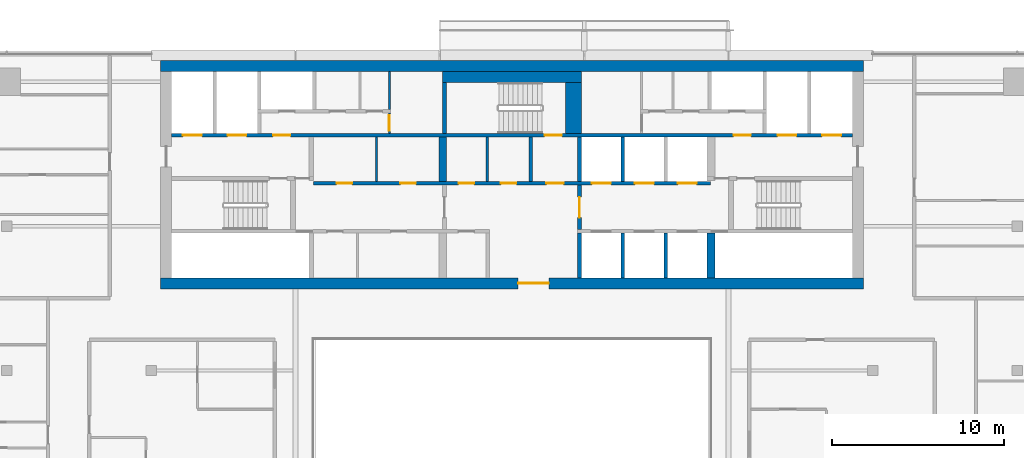
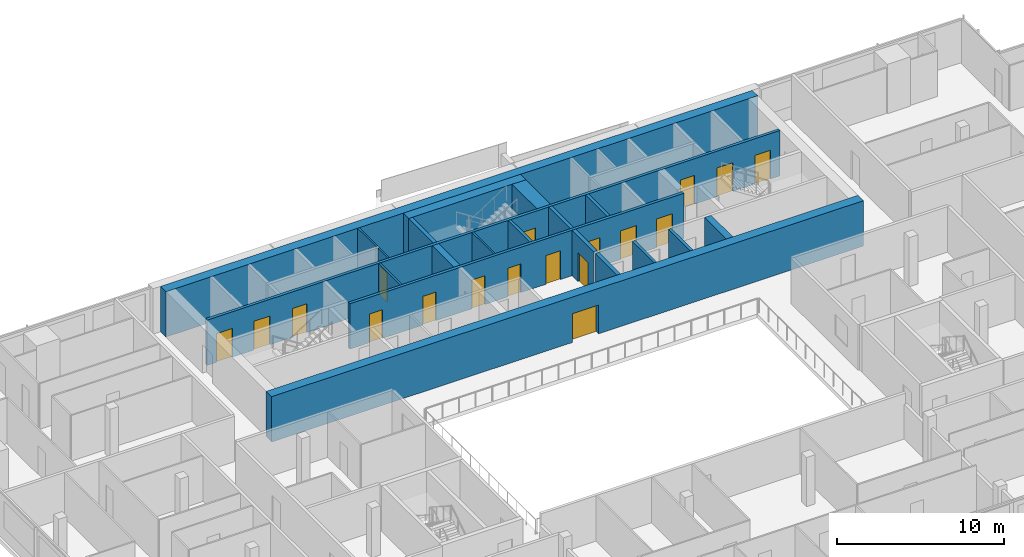
# One storey, part 21 of 26: 20 walls, 18 doors, 18 openings.
"""IFC4 building model written with IfcOpenShell, lengths in metres."""

from ifc_helpers import new_model, si_unit, direction, frame, frame_2d, origin, place, context, subcontext, project, spatial, rectangle, extrude, material, layer, layer_set, type_object, element, fill, save


model = new_model("IFC4")

# Units and contexts
model_context = context("Model", 3, precision=1e-05, world=origin(), true_north=direction((0.0, 1.0)))
body_context = subcontext(model_context, "Body", "Model", "MODEL_VIEW")
ifc_project = project(units=[si_unit("LENGTHUNIT", "METRE"), si_unit("AREAUNIT", "SQUARE_METRE"), si_unit("VOLUMEUNIT", "CUBIC_METRE"), si_unit("PLANEANGLEUNIT", "RADIAN"), si_unit("MASSUNIT", "GRAM", prefix="KILO")], contexts=[model_context])

# Site, building, storey
site_placement = place(None, origin())
site = spatial("IfcSite", under=ifc_project, at=site_placement, CompositionType="ELEMENT")
building_placement = place(site_placement, origin())
building = spatial("IfcBuilding", under=site, at=building_placement, Name="Saffron Gate Tower", CompositionType="ELEMENT")
storey_placement = place(building_placement, frame((0.0, 0.0, 230.699951171875)))
storey = spatial("IfcBuildingStorey", under=building, at=storey_placement, Name="L56", CompositionType="ELEMENT", Elevation=230.699951171875)

# Walls
ifc_material_1 = material(Name="Gypsum board partition on steel studs", Category="steel")
ifc_layer_1 = layer(ifc_material_1, 0.199951171875)
ifc_layer_set_1 = layer_set([ifc_layer_1], Name="CW10 Core partition 200")
wall_type_1 = type_object("IfcWallType", Name="CW10 Core partition 200", PredefinedType="PARTITIONING", material=ifc_layer_set_1)
wall_1_placement = place(storey_placement, frame((88.699951171875, 68.0, 0.0), z_axis=(0.0, 0.0, 1.0), x_axis=(0.0, 1.0, 0.0)))
element("IfcWall", 1, at=wall_1_placement, inside=storey, type_object=wall_type_1, Name="Wall CW10-L56-23", PredefinedType="PARTITIONING", context=body_context, shape_type="SweptSolid", body=[
    extrude(rectangle(XDim=2.60009765625, YDim=0.199951171875, at=frame_2d((1.300048828125, 0.0))), origin(), (0.0, 0.0, 1.0), 3.320068359375),
])
ifc_material_2 = material(Name="Concrete C60", Category="concrete")
ifc_layer_2 = layer(ifc_material_2, 0.25)
ifc_layer_set_2 = layer_set([ifc_layer_2], Name="CW14 RC core wall 250 C60")
wall_type_2 = type_object("IfcWallType", Name="CW14 RC core wall 250 C60", PredefinedType="SOLIDWALL", material=ifc_layer_set_2)
wall_2_placement = place(storey_placement, frame((91.52490234375, 62.39990234375, 0.0), z_axis=(0.0, 0.0, 1.0), x_axis=(0.0, 1.0, 0.0)))
element("IfcWall", 2, at=wall_2_placement, inside=storey, type_object=wall_type_2, Name="Wall CW14-L56-9", PredefinedType="SOLIDWALL", context=body_context, shape_type="SweptSolid", body=[
    extrude(rectangle(XDim=2.60009765625, YDim=0.25, at=frame_2d((1.300048828125, 0.0))), origin(), (0.0, 0.0, 1.0), 3.320068359375),
])

# Wall, opening, door
wall_3_placement = place(storey_placement, frame((91.52490234375, 65.199951171875, 0.0), z_axis=(0.0, 0.0, 1.0), x_axis=(0.0, 1.0, 0.0)))
wall_3 = element("IfcWall", 3, at=wall_3_placement, inside=storey, type_object=wall_type_2, Name="Wall CW14-L56-17", PredefinedType="SOLIDWALL", context=body_context, shape_type="SweptSolid", body=[
    extrude(rectangle(XDim=2.60009765625, YDim=0.25, at=frame_2d((1.300048828125, 0.0))), origin(), (0.0, 0.0, 1.0), 3.320068359375),
])
opening_1_placement = place(wall_3_placement, frame((0.699951171875, 0.0, 0.0)))
opening_1 = element("IfcOpeningElement", 4, at=opening_1_placement, cuts=wall_3, Name="Opening CR-01", PredefinedType="OPENING", context=body_context, shape_type="SweptSolid", body=[
    extrude(rectangle(XDim=1.199951171875, YDim=2.10009765625, at=frame_2d((0.60009765625, 1.050048828125))), frame((0.0, 0.135009765625, 0.0), z_axis=(0.0, -1.0, 0.0), x_axis=(1.0, 0.0, 0.0)), (0.0, 0.0, 1.0), 0.27001953125),
])
ifc_material_3 = material(Name="Steel fire door set", Category="steel")
door_type_1 = type_object("IfcDoorType", Name="CD3 Lobby door 1200x2100 EI 120", OperationType="NOTDEFINED", PredefinedType="DOOR", material=ifc_material_3)
door_1_placement = place(opening_1_placement, origin())
door_1 = element("IfcDoor", 5, at=door_1_placement, inside=storey, type_object=door_type_1, Name="DOOR CR-01", OperationType="SINGLE_SWING_RIGHT", OverallHeight=2.10009765625, OverallWidth=1.199951171875, PredefinedType="DOOR", context=body_context, shape_type="SweptSolid", body=[
    extrude(rectangle(XDim=1.199951171875, YDim=2.10009765625, at=frame_2d((0.60009765625, 1.050048828125))), frame((0.0, 0.02490234375, 0.0), z_axis=(0.0, -1.0, 0.0), x_axis=(1.0, 0.0, 0.0)), (0.0, 0.0, 1.0), 0.050048828125),
])
fill(opening_1, door_1)

# Walls
wall_4_placement = place(storey_placement, frame((91.52490234375, 68.0, 0.0), z_axis=(0.0, 0.0, 1.0), x_axis=(0.0, 1.0, 0.0)))
element("IfcWall", 6, at=wall_4_placement, inside=storey, type_object=wall_type_2, Name="Wall CW14-L56-24", PredefinedType="SOLIDWALL", context=body_context, shape_type="SweptSolid", body=[
    extrude(rectangle(XDim=2.60009765625, YDim=0.25, at=frame_2d((1.300048828125, 0.0))), origin(), (0.0, 0.0, 1.0), 3.320068359375),
])
wall_5_placement = place(storey_placement, frame((83.675048828125, 70.800048828125, 0.0), z_axis=(0.0, 0.0, 1.0), x_axis=(0.0, 1.0, 0.0)))
element("IfcWall", 7, at=wall_5_placement, inside=storey, type_object=wall_type_2, Name="Wall CW14-L56-36", PredefinedType="SOLIDWALL", context=body_context, shape_type="SweptSolid", body=[
    extrude(rectangle(XDim=2.949951171875, YDim=0.25, at=frame_2d((1.47509765625, 0.0))), origin(), (0.0, 0.0, 1.0), 3.320068359375),
])
ifc_layer_3 = layer(ifc_material_2, 0.199951171875)
ifc_layer_set_3 = layer_set([ifc_layer_3], Name="CW15 RC core wall 200 C60")
wall_type_3 = type_object("IfcWallType", Name="CW15 RC core wall 200 C60", PredefinedType="SOLIDWALL", material=ifc_layer_set_3)
for number, where, z_axis, x_axis, name in (
    (8, (94.050048828125, 62.39990234375, 0.0), (0.0, 0.0, 1.0), (0.0, 1.0, 0.0), "Wall CW15-L56-10"),
    (9, (96.550048828125, 62.39990234375, 0.0), (0.0, 0.0, 1.0), (0.0, 1.0, 0.0), "Wall CW15-L56-11"),
):
    element("IfcWall", number, at=place(storey_placement, frame(where, z_axis=z_axis, x_axis=x_axis)), inside=storey, type_object=wall_type_3, Name=name, PredefinedType="SOLIDWALL", context=body_context, shape_type="SweptSolid", body=[
        extrude(rectangle(XDim=2.60009765625, YDim=0.199951171875, at=frame_2d((1.300048828125, 0.0))), origin(), (0.0, 0.0, 1.0), 3.320068359375),
    ])

# Wall, openings, doors
wall_6_placement = place(storey_placement, frame((76.050048828125, 67.89990234375, 0.0), z_axis=(0.0, 0.0, 1.0), x_axis=(1.0, 0.0, 0.0)))
wall_6 = element("IfcWall", 10, at=wall_6_placement, inside=storey, type_object=wall_type_3, Name="Wall CW15-L56-19", PredefinedType="SOLIDWALL", context=body_context, shape_type="SweptSolid", body=[
    extrude(rectangle(XDim=23.099853515625, YDim=0.199951171875, at=frame_2d((11.5498046875, 0.0))), origin(), (0.0, 0.0, 1.0), 3.320068359375),
])
opening_2_placement = place(wall_6_placement, frame((1.35009765625, 0.0, 0.0)))
opening_2 = element("IfcOpeningElement", 11, at=opening_2_placement, cuts=wall_6, Name="Opening CR-61", PredefinedType="OPENING", context=body_context, shape_type="SweptSolid", body=[
    extrude(rectangle(XDim=0.89990234375, YDim=2.10009765625, at=frame_2d((0.449951171875, 1.050048828125))), frame((0.0, 0.10986328125, 0.0), z_axis=(0.0, -1.0, 0.0), x_axis=(1.0, 0.0, 0.0)), (0.0, 0.0, 1.0), 0.219970703125),
])
opening_3_placement = place(wall_6_placement, frame((5.06005859375, 0.0, 0.0)))
opening_3 = element("IfcOpeningElement", 12, at=opening_3_placement, cuts=wall_6, Name="Opening CR-62", PredefinedType="OPENING", context=body_context, shape_type="SweptSolid", body=[
    extrude(rectangle(XDim=0.89990234375, YDim=2.10009765625, at=frame_2d((0.449951171875, 1.050048828125))), frame((0.0, 0.10986328125, 0.0), z_axis=(0.0, -1.0, 0.0), x_axis=(1.0, 0.0, 0.0)), (0.0, 0.0, 1.0), 0.219970703125),
])
opening_4_placement = place(wall_6_placement, frame((8.449951171875, 0.0, 0.0)))
opening_4 = element("IfcOpeningElement", 13, at=opening_4_placement, cuts=wall_6, Name="Opening CR-67", PredefinedType="OPENING", context=body_context, shape_type="SweptSolid", body=[
    extrude(rectangle(XDim=0.89990234375, YDim=2.10009765625, at=frame_2d((0.449951171875, 1.050048828125))), frame((0.0, 0.10986328125, 0.0), z_axis=(0.0, -1.0, 0.0), x_axis=(1.0, 0.0, 0.0)), (0.0, 0.0, 1.0), 0.219970703125),
])
opening_5_placement = place(wall_6_placement, frame((10.909912109375, 0.0, 0.0)))
opening_5 = element("IfcOpeningElement", 14, at=opening_5_placement, cuts=wall_6, Name="Opening CR-68", PredefinedType="OPENING", context=body_context, shape_type="SweptSolid", body=[
    extrude(rectangle(XDim=0.89990234375, YDim=2.10009765625, at=frame_2d((0.449951171875, 1.050048828125))), frame((0.0, 0.10986328125, 0.0), z_axis=(0.0, -1.0, 0.0), x_axis=(1.0, 0.0, 0.0)), (0.0, 0.0, 1.0), 0.219970703125),
])
opening_6_placement = place(wall_6_placement, frame((13.550048828125, 0.0, 0.0)))
opening_6 = element("IfcOpeningElement", 15, at=opening_6_placement, cuts=wall_6, Name="Opening CR-02", PredefinedType="OPENING", context=body_context, shape_type="SweptSolid", body=[
    extrude(rectangle(XDim=1.0, YDim=2.10009765625, at=frame_2d((0.5, 1.050048828125))), frame((0.0, 0.10986328125, 0.0), z_axis=(0.0, -1.0, 0.0), x_axis=(1.0, 0.0, 0.0)), (0.0, 0.0, 1.0), 0.219970703125),
])
opening_7_placement = place(wall_6_placement, frame((16.199951171875, 0.0, 0.0)))
opening_7 = element("IfcOpeningElement", 16, at=opening_7_placement, cuts=wall_6, Name="Opening LD-HR4", PredefinedType="OPENING", context=body_context, shape_type="SweptSolid", body=[
    extrude(rectangle(XDim=1.10009765625, YDim=2.10009765625, at=frame_2d((0.550048828125, 1.050048828125))), frame((0.0, 0.10986328125, 0.0), z_axis=(0.0, -1.0, 0.0), x_axis=(1.0, 0.0, 0.0)), (0.0, 0.0, 1.0), 0.219970703125),
])
opening_8_placement = place(wall_6_placement, frame((18.699951171875, 0.0, 0.0)))
opening_8 = element("IfcOpeningElement", 17, at=opening_8_placement, cuts=wall_6, Name="Opening LD-HR5", PredefinedType="OPENING", context=body_context, shape_type="SweptSolid", body=[
    extrude(rectangle(XDim=1.10009765625, YDim=2.10009765625, at=frame_2d((0.550048828125, 1.050048828125))), frame((0.0, 0.10986328125, 0.0), z_axis=(0.0, -1.0, 0.0), x_axis=(1.0, 0.0, 0.0)), (0.0, 0.0, 1.0), 0.219970703125),
])
opening_9_placement = place(wall_6_placement, frame((21.199951171875, 0.0, 0.0)))
opening_9 = element("IfcOpeningElement", 18, at=opening_9_placement, cuts=wall_6, Name="Opening LD-HR6", PredefinedType="OPENING", context=body_context, shape_type="SweptSolid", body=[
    extrude(rectangle(XDim=1.10009765625, YDim=2.10009765625, at=frame_2d((0.550048828125, 1.050048828125))), frame((0.0, 0.10986328125, 0.0), z_axis=(0.0, -1.0, 0.0), x_axis=(1.0, 0.0, 0.0)), (0.0, 0.0, 1.0), 0.219970703125),
])
door_type_2 = type_object("IfcDoorType", Name="CD4 Lobby door 1000x2100 EI 120", OperationType="NOTDEFINED", PredefinedType="DOOR", material=ifc_material_3)
door_2_placement = place(opening_6_placement, origin())
door_2 = element("IfcDoor", 19, at=door_2_placement, inside=storey, type_object=door_type_2, Name="DOOR CR-02", OperationType="SINGLE_SWING_LEFT", OverallHeight=2.10009765625, OverallWidth=1.0, PredefinedType="DOOR", context=body_context, shape_type="SweptSolid", body=[
    extrude(rectangle(XDim=1.0, YDim=2.10009765625, at=frame_2d((0.5, 1.050048828125))), frame((0.0, 0.02490234375, 0.0), z_axis=(0.0, -1.0, 0.0), x_axis=(1.0, 0.0, 0.0)), (0.0, 0.0, 1.0), 0.050048828125),
])
fill(opening_6, door_2)
door_type_3 = type_object("IfcDoorType", Name="CD9 Room door 900x2100 EI 60", OperationType="NOTDEFINED", PredefinedType="DOOR", material=ifc_material_3)
door_3_placement = place(opening_2_placement, origin())
door_3 = element("IfcDoor", 20, at=door_3_placement, inside=storey, type_object=door_type_3, Name="DOOR CR-61", OperationType="SINGLE_SWING_LEFT", OverallHeight=2.10009765625, OverallWidth=0.89990234375, PredefinedType="DOOR", context=body_context, shape_type="SweptSolid", body=[
    extrude(rectangle(XDim=0.89990234375, YDim=2.10009765625, at=frame_2d((0.449951171875, 1.050048828125))), frame((0.0, 0.02490234375, 0.0), z_axis=(0.0, -1.0, 0.0), x_axis=(1.0, 0.0, 0.0)), (0.0, 0.0, 1.0), 0.050048828125),
])
fill(opening_2, door_3)
door_4_placement = place(opening_3_placement, origin())
door_4 = element("IfcDoor", 21, at=door_4_placement, inside=storey, type_object=door_type_3, Name="DOOR CR-62", OperationType="SINGLE_SWING_LEFT", OverallHeight=2.10009765625, OverallWidth=0.89990234375, PredefinedType="DOOR", context=body_context, shape_type="SweptSolid", body=[
    extrude(rectangle(XDim=0.89990234375, YDim=2.10009765625, at=frame_2d((0.449951171875, 1.050048828125))), frame((0.0, 0.02490234375, 0.0), z_axis=(0.0, -1.0, 0.0), x_axis=(1.0, 0.0, 0.0)), (0.0, 0.0, 1.0), 0.050048828125),
])
fill(opening_3, door_4)
door_5_placement = place(opening_4_placement, origin())
door_5 = element("IfcDoor", 22, at=door_5_placement, inside=storey, type_object=door_type_3, Name="DOOR CR-67", OperationType="SINGLE_SWING_LEFT", OverallHeight=2.10009765625, OverallWidth=0.89990234375, PredefinedType="DOOR", context=body_context, shape_type="SweptSolid", body=[
    extrude(rectangle(XDim=0.89990234375, YDim=2.10009765625, at=frame_2d((0.449951171875, 1.050048828125))), frame((0.0, 0.02490234375, 0.0), z_axis=(0.0, -1.0, 0.0), x_axis=(1.0, 0.0, 0.0)), (0.0, 0.0, 1.0), 0.050048828125),
])
fill(opening_4, door_5)
door_6_placement = place(opening_5_placement, origin())
door_6 = element("IfcDoor", 23, at=door_6_placement, inside=storey, type_object=door_type_3, Name="DOOR CR-68", OperationType="SINGLE_SWING_LEFT", OverallHeight=2.10009765625, OverallWidth=0.89990234375, PredefinedType="DOOR", context=body_context, shape_type="SweptSolid", body=[
    extrude(rectangle(XDim=0.89990234375, YDim=2.10009765625, at=frame_2d((0.449951171875, 1.050048828125))), frame((0.0, 0.02490234375, 0.0), z_axis=(0.0, -1.0, 0.0), x_axis=(1.0, 0.0, 0.0)), (0.0, 0.0, 1.0), 0.050048828125),
])
fill(opening_5, door_6)
ifc_material_4 = material(Name="Stainless steel landing door", Category="steel")
door_type_4 = type_object("IfcDoorType", Name="LD Lift landing door 1100x2100 EI 120", OperationType="SLIDING_TO_LEFT", PredefinedType="DOOR", material=ifc_material_4)
door_7_placement = place(opening_7_placement, origin())
door_7 = element("IfcDoor", 24, at=door_7_placement, inside=storey, type_object=door_type_4, Name="LANDING DOOR LD-HR4", OperationType="SLIDING_TO_RIGHT", OverallHeight=2.10009765625, OverallWidth=1.10009765625, PredefinedType="DOOR", context=body_context, shape_type="SweptSolid", body=[
    extrude(rectangle(XDim=1.10009765625, YDim=2.10009765625, at=frame_2d((0.550048828125, 1.050048828125))), frame((0.0, 0.02490234375, 0.0), z_axis=(0.0, -1.0, 0.0), x_axis=(1.0, 0.0, 0.0)), (0.0, 0.0, 1.0), 0.050048828125),
])
fill(opening_7, door_7)
door_8_placement = place(opening_8_placement, origin())
door_8 = element("IfcDoor", 25, at=door_8_placement, inside=storey, type_object=door_type_4, Name="LANDING DOOR LD-HR5", OperationType="SLIDING_TO_RIGHT", OverallHeight=2.10009765625, OverallWidth=1.10009765625, PredefinedType="DOOR", context=body_context, shape_type="SweptSolid", body=[
    extrude(rectangle(XDim=1.10009765625, YDim=2.10009765625, at=frame_2d((0.550048828125, 1.050048828125))), frame((0.0, 0.02490234375, 0.0), z_axis=(0.0, -1.0, 0.0), x_axis=(1.0, 0.0, 0.0)), (0.0, 0.0, 1.0), 0.050048828125),
])
fill(opening_8, door_8)
door_9_placement = place(opening_9_placement, origin())
door_9 = element("IfcDoor", 26, at=door_9_placement, inside=storey, type_object=door_type_4, Name="LANDING DOOR LD-HR6", OperationType="SLIDING_TO_RIGHT", OverallHeight=2.10009765625, OverallWidth=1.10009765625, PredefinedType="DOOR", context=body_context, shape_type="SweptSolid", body=[
    extrude(rectangle(XDim=1.10009765625, YDim=2.10009765625, at=frame_2d((0.550048828125, 1.050048828125))), frame((0.0, 0.02490234375, 0.0), z_axis=(0.0, -1.0, 0.0), x_axis=(1.0, 0.0, 0.0)), (0.0, 0.0, 1.0), 0.050048828125),
])
fill(opening_9, door_9)

# Wall
wall_7_placement = place(storey_placement, frame((94.050048828125, 68.0, 0.0), z_axis=(0.0, 0.0, 1.0), x_axis=(0.0, 1.0, 0.0)))
element("IfcWall", 27, at=wall_7_placement, inside=storey, type_object=wall_type_3, Name="Wall CW15-L56-25", PredefinedType="SOLIDWALL", context=body_context, shape_type="SweptSolid", body=[
    extrude(rectangle(XDim=2.60009765625, YDim=0.199951171875, at=frame_2d((1.300048828125, 0.0))), origin(), (0.0, 0.0, 1.0), 3.320068359375),
])

# Wall, openings, doors
wall_8_placement = place(storey_placement, frame((67.800048828125, 70.699951171875, 0.0), z_axis=(0.0, 0.0, 1.0), x_axis=(1.0, 0.0, 0.0)))
wall_8 = element("IfcWall", 28, at=wall_8_placement, inside=storey, type_object=wall_type_3, Name="Wall CW15-L56-32", PredefinedType="SOLIDWALL", context=body_context, shape_type="SweptSolid", body=[
    extrude(rectangle(XDim=39.599853515625, YDim=0.199951171875, at=frame_2d((19.7998046875, 0.0))), origin(), (0.0, 0.0, 1.0), 3.320068359375),
])
opening_10_placement = place(wall_8_placement, frame((0.64990234375, 0.0, 0.0)))
opening_10 = element("IfcOpeningElement", 29, at=opening_10_placement, cuts=wall_8, Name="Opening LD-FF1", PredefinedType="OPENING", context=body_context, shape_type="SweptSolid", body=[
    extrude(rectangle(XDim=1.10009765625, YDim=2.10009765625, at=frame_2d((0.550048828125, 1.050048828125))), frame((0.0, 0.10986328125, 0.0), z_axis=(0.0, -1.0, 0.0), x_axis=(1.0, 0.0, 0.0)), (0.0, 0.0, 1.0), 0.219970703125),
])
opening_11_placement = place(wall_8_placement, frame((3.25, 0.0, 0.0)))
opening_11 = element("IfcOpeningElement", 30, at=opening_11_placement, cuts=wall_8, Name="Opening LD-SV1", PredefinedType="OPENING", context=body_context, shape_type="SweptSolid", body=[
    extrude(rectangle(XDim=1.10009765625, YDim=2.10009765625, at=frame_2d((0.550048828125, 1.050048828125))), frame((0.0, 0.10986328125, 0.0), z_axis=(0.0, -1.0, 0.0), x_axis=(1.0, 0.0, 0.0)), (0.0, 0.0, 1.0), 0.219970703125),
])
opening_12_placement = place(wall_8_placement, frame((5.89990234375, 0.0, 0.0)))
opening_12 = element("IfcOpeningElement", 31, at=opening_12_placement, cuts=wall_8, Name="Opening CR-03", PredefinedType="OPENING", context=body_context, shape_type="SweptSolid", body=[
    extrude(rectangle(XDim=1.0, YDim=2.10009765625, at=frame_2d((0.5, 1.050048828125))), frame((0.0, 0.10986328125, 0.0), z_axis=(0.0, -1.0, 0.0), x_axis=(1.0, 0.0, 0.0)), (0.0, 0.0, 1.0), 0.219970703125),
])
opening_13_placement = place(wall_8_placement, frame((21.699951171875, 0.0, 0.0)))
opening_13 = element("IfcOpeningElement", 32, at=opening_13_placement, cuts=wall_8, Name="Opening CR-17", PredefinedType="OPENING", context=body_context, shape_type="SweptSolid", body=[
    extrude(rectangle(XDim=1.0, YDim=2.10009765625, at=frame_2d((0.5, 1.050048828125))), frame((0.0, 0.10986328125, 0.0), z_axis=(0.0, -1.0, 0.0), x_axis=(1.0, 0.0, 0.0)), (0.0, 0.0, 1.0), 0.219970703125),
])
opening_14_placement = place(wall_8_placement, frame((32.699951171875, 0.0, 0.0)))
opening_14 = element("IfcOpeningElement", 33, at=opening_14_placement, cuts=wall_8, Name="Opening CR-04", PredefinedType="OPENING", context=body_context, shape_type="SweptSolid", body=[
    extrude(rectangle(XDim=1.0, YDim=2.10009765625, at=frame_2d((0.5, 1.050048828125))), frame((0.0, 0.10986328125, 0.0), z_axis=(0.0, -1.0, 0.0), x_axis=(1.0, 0.0, 0.0)), (0.0, 0.0, 1.0), 0.219970703125),
])
opening_15_placement = place(wall_8_placement, frame((35.25, 0.0, 0.0)))
opening_15 = element("IfcOpeningElement", 34, at=opening_15_placement, cuts=wall_8, Name="Opening LD-SV2", PredefinedType="OPENING", context=body_context, shape_type="SweptSolid", body=[
    extrude(rectangle(XDim=1.10009765625, YDim=2.10009765625, at=frame_2d((0.550048828125, 1.050048828125))), frame((0.0, 0.10986328125, 0.0), z_axis=(0.0, -1.0, 0.0), x_axis=(1.0, 0.0, 0.0)), (0.0, 0.0, 1.0), 0.219970703125),
])
opening_16_placement = place(wall_8_placement, frame((37.85009765625, 0.0, 0.0)))
opening_16 = element("IfcOpeningElement", 35, at=opening_16_placement, cuts=wall_8, Name="Opening LD-FF2", PredefinedType="OPENING", context=body_context, shape_type="SweptSolid", body=[
    extrude(rectangle(XDim=1.10009765625, YDim=2.10009765625, at=frame_2d((0.550048828125, 1.050048828125))), frame((0.0, 0.10986328125, 0.0), z_axis=(0.0, -1.0, 0.0), x_axis=(1.0, 0.0, 0.0)), (0.0, 0.0, 1.0), 0.219970703125),
])
door_10_placement = place(opening_12_placement, origin())
door_10 = element("IfcDoor", 36, at=door_10_placement, inside=storey, type_object=door_type_2, Name="DOOR CR-03", OperationType="SINGLE_SWING_LEFT", OverallHeight=2.10009765625, OverallWidth=1.0, PredefinedType="DOOR", context=body_context, shape_type="SweptSolid", body=[
    extrude(rectangle(XDim=1.0, YDim=2.10009765625, at=frame_2d((0.5, 1.050048828125))), frame((0.0, 0.02490234375, 0.0), z_axis=(0.0, -1.0, 0.0), x_axis=(1.0, 0.0, 0.0)), (0.0, 0.0, 1.0), 0.050048828125),
])
fill(opening_12, door_10)
door_11_placement = place(opening_14_placement, origin())
door_11 = element("IfcDoor", 37, at=door_11_placement, inside=storey, type_object=door_type_2, Name="DOOR CR-04", OperationType="SINGLE_SWING_RIGHT", OverallHeight=2.10009765625, OverallWidth=1.0, PredefinedType="DOOR", context=body_context, shape_type="SweptSolid", body=[
    extrude(rectangle(XDim=1.0, YDim=2.10009765625, at=frame_2d((0.5, 1.050048828125))), frame((0.0, 0.02490234375, 0.0), z_axis=(0.0, -1.0, 0.0), x_axis=(1.0, 0.0, 0.0)), (0.0, 0.0, 1.0), 0.050048828125),
])
fill(opening_14, door_11)
door_type_5 = type_object("IfcDoorType", Name="CD5 Stair door 1000x2100 EI 120", OperationType="NOTDEFINED", PredefinedType="DOOR", material=ifc_material_3)
door_12_placement = place(opening_13_placement, origin())
door_12 = element("IfcDoor", 38, at=door_12_placement, inside=storey, type_object=door_type_5, Name="DOOR CR-17", OperationType="SINGLE_SWING_RIGHT", OverallHeight=2.10009765625, OverallWidth=1.0, PredefinedType="DOOR", context=body_context, shape_type="SweptSolid", body=[
    extrude(rectangle(XDim=1.0, YDim=2.10009765625, at=frame_2d((0.5, 1.050048828125))), frame((0.0, 0.02490234375, 0.0), z_axis=(0.0, -1.0, 0.0), x_axis=(1.0, 0.0, 0.0)), (0.0, 0.0, 1.0), 0.050048828125),
])
fill(opening_13, door_12)
door_13_placement = place(opening_10_placement, origin())
door_13 = element("IfcDoor", 39, at=door_13_placement, inside=storey, type_object=door_type_4, Name="LANDING DOOR LD-FF1", OperationType="SLIDING_TO_RIGHT", OverallHeight=2.10009765625, OverallWidth=1.10009765625, PredefinedType="DOOR", context=body_context, shape_type="SweptSolid", body=[
    extrude(rectangle(XDim=1.10009765625, YDim=2.10009765625, at=frame_2d((0.550048828125, 1.050048828125))), frame((0.0, 0.02490234375, 0.0), z_axis=(0.0, -1.0, 0.0), x_axis=(1.0, 0.0, 0.0)), (0.0, 0.0, 1.0), 0.050048828125),
])
fill(opening_10, door_13)
door_14_placement = place(opening_11_placement, origin())
door_14 = element("IfcDoor", 40, at=door_14_placement, inside=storey, type_object=door_type_4, Name="LANDING DOOR LD-SV1", OperationType="SLIDING_TO_RIGHT", OverallHeight=2.10009765625, OverallWidth=1.10009765625, PredefinedType="DOOR", context=body_context, shape_type="SweptSolid", body=[
    extrude(rectangle(XDim=1.10009765625, YDim=2.10009765625, at=frame_2d((0.550048828125, 1.050048828125))), frame((0.0, 0.02490234375, 0.0), z_axis=(0.0, -1.0, 0.0), x_axis=(1.0, 0.0, 0.0)), (0.0, 0.0, 1.0), 0.050048828125),
])
fill(opening_11, door_14)
door_15_placement = place(opening_15_placement, origin())
door_15 = element("IfcDoor", 41, at=door_15_placement, inside=storey, type_object=door_type_4, Name="LANDING DOOR LD-SV2", OperationType="SLIDING_TO_RIGHT", OverallHeight=2.10009765625, OverallWidth=1.10009765625, PredefinedType="DOOR", context=body_context, shape_type="SweptSolid", body=[
    extrude(rectangle(XDim=1.10009765625, YDim=2.10009765625, at=frame_2d((0.550048828125, 1.050048828125))), frame((0.0, 0.02490234375, 0.0), z_axis=(0.0, -1.0, 0.0), x_axis=(1.0, 0.0, 0.0)), (0.0, 0.0, 1.0), 0.050048828125),
])
fill(opening_15, door_15)
door_16_placement = place(opening_16_placement, origin())
door_16 = element("IfcDoor", 42, at=door_16_placement, inside=storey, type_object=door_type_4, Name="LANDING DOOR LD-FF2", OperationType="SLIDING_TO_RIGHT", OverallHeight=2.10009765625, OverallWidth=1.10009765625, PredefinedType="DOOR", context=body_context, shape_type="SweptSolid", body=[
    extrude(rectangle(XDim=1.10009765625, YDim=2.10009765625, at=frame_2d((0.550048828125, 1.050048828125))), frame((0.0, 0.02490234375, 0.0), z_axis=(0.0, -1.0, 0.0), x_axis=(1.0, 0.0, 0.0)), (0.0, 0.0, 1.0), 0.050048828125),
])
fill(opening_16, door_16)

# Walls
ifc_layer_4 = layer(ifc_material_2, 0.449951171875)
ifc_layer_set_4 = layer_set([ifc_layer_4], Name="CW16 RC core wall 450 C60")
wall_type_4 = type_object("IfcWallType", Name="CW16 RC core wall 450 C60", PredefinedType="SOLIDWALL", material=ifc_layer_set_4)
for number, where, z_axis, x_axis, name in (
    (43, (99.175048828125, 62.39990234375, 0.0), (0.0, 0.0, 1.0), (0.0, 1.0, 0.0), "Wall CW16-L56-12"),
    (44, (83.574951171875, 68.0, 0.0), (0.0, 0.0, 1.0), (0.0, 1.0, 0.0), "Wall CW16-L56-21"),
):
    element("IfcWall", number, at=place(storey_placement, frame(where, z_axis=z_axis, x_axis=x_axis)), inside=storey, type_object=wall_type_4, Name=name, PredefinedType="SOLIDWALL", context=body_context, shape_type="SweptSolid", body=[
        extrude(rectangle(XDim=2.60009765625, YDim=0.449951171875, at=frame_2d((1.300048828125, 0.0))), origin(), (0.0, 0.0, 1.0), 3.320068359375),
    ])
ifc_layer_5 = layer(ifc_material_2, 0.949951171875)
ifc_layer_set_5 = layer_set([ifc_layer_5], Name="CW19 RC core wall 950 C60")
wall_type_5 = type_object("IfcWallType", Name="CW19 RC core wall 950 C60", PredefinedType="SOLIDWALL", material=ifc_layer_set_5)
wall_9_placement = place(storey_placement, frame((91.175048828125, 70.800048828125, 0.0), z_axis=(0.0, 0.0, 1.0), x_axis=(0.0, 1.0, 0.0)))
element("IfcWall", 45, at=wall_9_placement, inside=storey, type_object=wall_type_5, Name="Wall CW19-L56-37", PredefinedType="SOLIDWALL", context=body_context, shape_type="SweptSolid", body=[
    extrude(rectangle(XDim=2.949951171875, YDim=0.949951171875, at=frame_2d((1.47509765625, 0.0))), origin(), (0.0, 0.0, 1.0), 3.320068359375),
])

# Wall, opening, door
ifc_layer_6 = layer(ifc_material_2, 0.64990234375)
ifc_layer_set_6 = layer_set([ifc_layer_6], Name="CW20 RC core wall 650 C60")
wall_type_6 = type_object("IfcWallType", Name="CW20 RC core wall 650 C60", PredefinedType="SOLIDWALL", material=ifc_layer_set_6)
wall_10_placement = place(storey_placement, frame((67.14990234375, 62.074951171875, 0.0), z_axis=(0.0, 0.0, 1.0), x_axis=(1.0, 0.0, 0.0)))
wall_10 = element("IfcWall", 46, at=wall_10_placement, inside=storey, type_object=wall_type_6, Name="Wall CW20-L56-1", PredefinedType="SOLIDWALL", context=body_context, shape_type="SweptSolid", body=[
    extrude(rectangle(XDim=40.900146484375, YDim=0.64990234375, at=frame_2d((20.4501953125, 0.0))), origin(), (0.0, 0.0, 1.0), 3.320068359375),
])
opening_17_placement = place(wall_10_placement, frame((20.800048828125, 0.0, 0.0)))
opening_17 = element("IfcOpeningElement", 47, at=opening_17_placement, cuts=wall_10, Name="Opening CR-09", PredefinedType="OPENING", context=body_context, shape_type="SweptSolid", body=[
    extrude(rectangle(XDim=1.800048828125, YDim=2.10009765625, at=frame_2d((0.89990234375, 1.050048828125))), frame((0.0, 0.3349609375, 0.0), z_axis=(0.0, -1.0, 0.0), x_axis=(1.0, 0.0, 0.0)), (0.0, 0.0, 1.0), 0.669921875),
])
door_type_6 = type_object("IfcDoorType", Name="CD1 Core entrance door 1800x2100 EI 120", OperationType="NOTDEFINED", PredefinedType="DOOR", material=ifc_material_3)
door_17_placement = place(opening_17_placement, origin())
door_17 = element("IfcDoor", 48, at=door_17_placement, inside=storey, type_object=door_type_6, Name="DOOR CR-09", OperationType="DOUBLE_DOOR_SINGLE_SWING", OverallHeight=2.10009765625, OverallWidth=1.800048828125, PredefinedType="DOOR", context=body_context, shape_type="SweptSolid", body=[
    extrude(rectangle(XDim=1.800048828125, YDim=2.10009765625, at=frame_2d((0.89990234375, 1.050048828125))), frame((0.0, 0.02490234375, 0.0), z_axis=(0.0, -1.0, 0.0), x_axis=(1.0, 0.0, 0.0)), (0.0, 0.0, 1.0), 0.050048828125),
])
fill(opening_17, door_17)

# Walls
wall_11_placement = place(storey_placement, frame((67.14990234375, 74.72509765625, 0.0), z_axis=(0.0, 0.0, 1.0), x_axis=(1.0, 0.0, 0.0)))
element("IfcWall", 49, at=wall_11_placement, inside=storey, type_object=wall_type_6, Name="Wall CW20-L56-2", PredefinedType="SOLIDWALL", context=body_context, shape_type="SweptSolid", body=[
    extrude(rectangle(XDim=40.900146484375, YDim=0.64990234375, at=frame_2d((20.4501953125, 0.0))), origin(), (0.0, 0.0, 1.0), 3.320068359375),
])
wall_12_placement = place(storey_placement, frame((83.550048828125, 74.074951171875, 0.0), z_axis=(0.0, 0.0, 1.0), x_axis=(1.0, 0.0, 0.0)))
element("IfcWall", 50, at=wall_12_placement, inside=storey, type_object=wall_type_6, Name="Wall CW20-L56-51", PredefinedType="SOLIDWALL", context=body_context, shape_type="SweptSolid", body=[
    extrude(rectangle(XDim=8.099853515625, YDim=0.64990234375, at=frame_2d((4.0498046875, 0.0))), origin(), (0.0, 0.0, 1.0), 3.320068359375),
])
ifc_layer_7 = layer(ifc_material_1, 0.1201171875)
ifc_layer_set_7 = layer_set([ifc_layer_7], Name="CW8 Core partition 120")
wall_type_7 = type_object("IfcWallType", Name="CW8 Core partition 120", PredefinedType="PARTITIONING", material=ifc_layer_set_7)
for number, where, z_axis, x_axis, name in (
    (51, (79.7099609375, 68.0, 0.0), (0.0, 0.0, 1.0), (0.0, 1.0, 0.0), "Wall CW8-L56-20"),
    (52, (86.159912109375, 68.0, 0.0), (0.0, 0.0, 1.0), (0.0, 1.0, 0.0), "Wall CW8-L56-22"),
):
    element("IfcWall", number, at=place(storey_placement, frame(where, z_axis=z_axis, x_axis=x_axis)), inside=storey, type_object=wall_type_7, Name=name, PredefinedType="PARTITIONING", context=body_context, shape_type="SweptSolid", body=[
        extrude(rectangle(XDim=2.60009765625, YDim=0.1201171875, at=frame_2d((1.300048828125, 0.0))), origin(), (0.0, 0.0, 1.0), 3.320068359375),
    ])

# Wall, opening, door
wall_13_placement = place(storey_placement, frame((80.4599609375, 70.800048828125, 0.0), z_axis=(0.0, 0.0, 1.0), x_axis=(0.0, 1.0, 0.0)))
wall_13 = element("IfcWall", 53, at=wall_13_placement, inside=storey, type_object=wall_type_7, Name="Wall CW8-L56-35", PredefinedType="PARTITIONING", context=body_context, shape_type="SweptSolid", body=[
    extrude(rectangle(XDim=1.199951171875, YDim=0.1201171875, at=frame_2d((0.60009765625, 0.0))), origin(), (0.0, 0.0, 1.0), 3.320068359375),
])
opening_18_placement = place(wall_13_placement, frame((0.14990234375, 0.0, 0.0)))
opening_18 = element("IfcOpeningElement", 54, at=opening_18_placement, cuts=wall_13, Name="Opening CR-60", PredefinedType="OPENING", context=body_context, shape_type="SweptSolid", body=[
    extrude(rectangle(XDim=0.89990234375, YDim=2.10009765625, at=frame_2d((0.449951171875, 1.050048828125))), frame((0.0, 0.070068359375, 0.0), z_axis=(0.0, -1.0, 0.0), x_axis=(1.0, 0.0, 0.0)), (0.0, 0.0, 1.0), 0.14013671875),
])
door_18_placement = place(opening_18_placement, origin())
door_18 = element("IfcDoor", 55, at=door_18_placement, inside=storey, type_object=door_type_3, Name="DOOR CR-60", OperationType="SINGLE_SWING_RIGHT", OverallHeight=2.10009765625, OverallWidth=0.89990234375, PredefinedType="DOOR", context=body_context, shape_type="SweptSolid", body=[
    extrude(rectangle(XDim=0.89990234375, YDim=2.10009765625, at=frame_2d((0.449951171875, 1.050048828125))), frame((0.0, 0.02490234375, 0.0), z_axis=(0.0, -1.0, 0.0), x_axis=(1.0, 0.0, 0.0)), (0.0, 0.0, 1.0), 0.050048828125),
])
fill(opening_18, door_18)

# Wall
wall_14_placement = place(storey_placement, frame((80.4599609375, 72.199951171875, 0.0), z_axis=(0.0, 0.0, 1.0), x_axis=(0.0, 1.0, 0.0)))
element("IfcWall", 56, at=wall_14_placement, inside=storey, type_object=wall_type_7, Name="Wall CW8-L56-46", PredefinedType="PARTITIONING", context=body_context, shape_type="SweptSolid", body=[
    extrude(rectangle(XDim=2.199951171875, YDim=0.1201171875, at=frame_2d((1.10009765625, 0.0))), origin(), (0.0, 0.0, 1.0), 3.320068359375),
])

save(model, "model.ifc")
